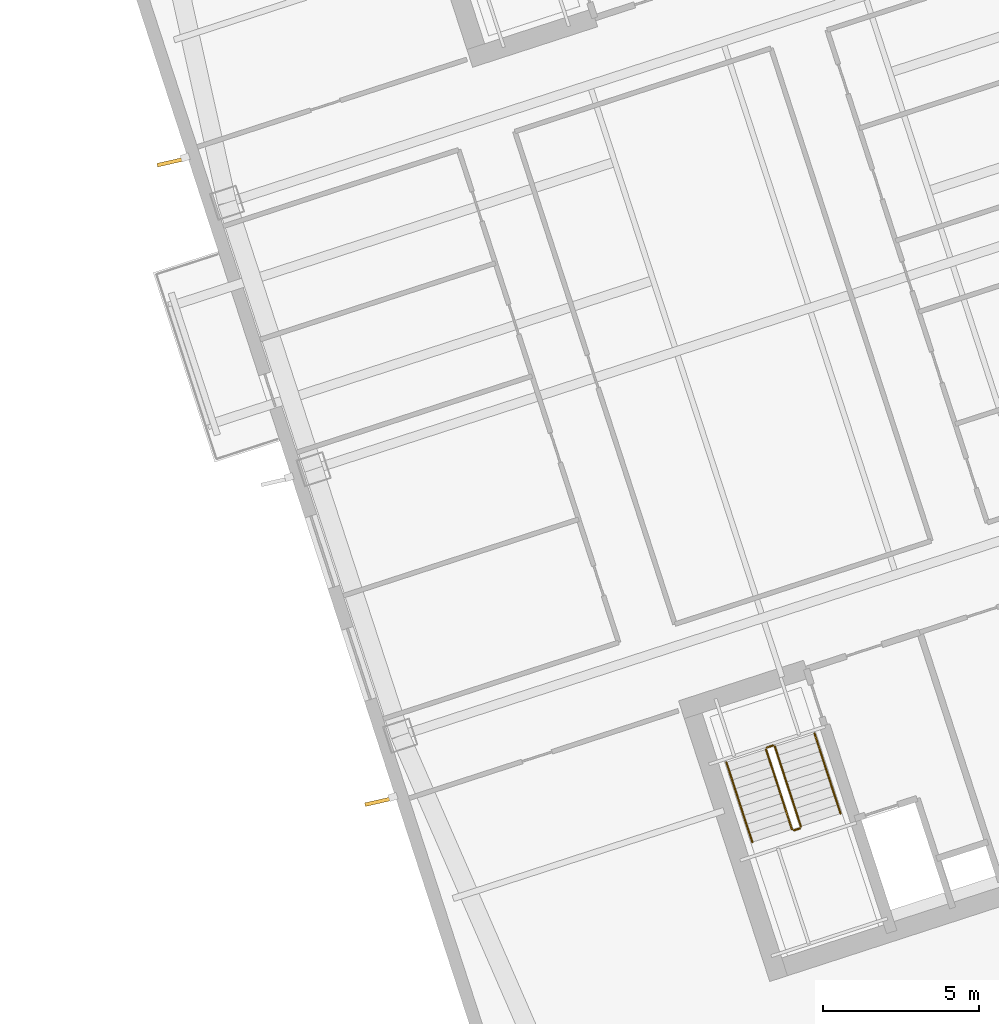
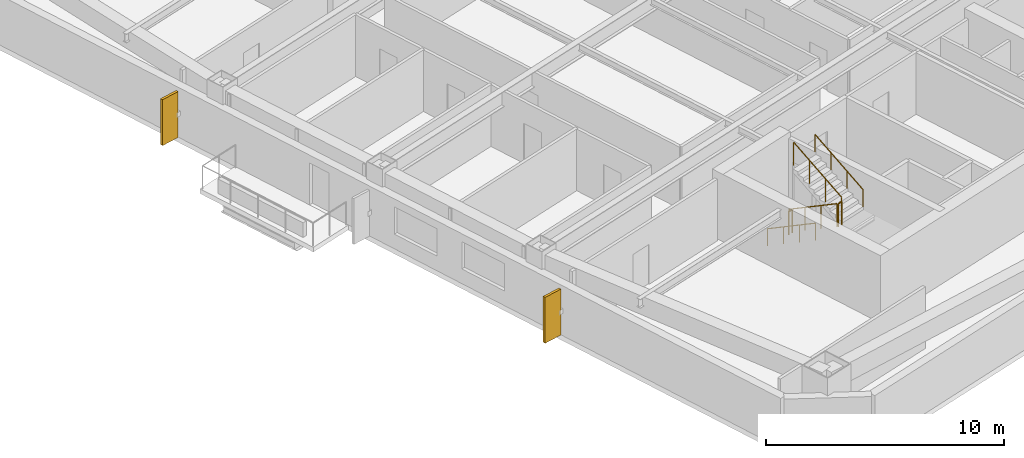
# One storey, part 22 of 23: 6 railings, 2 shading devices.
"""IFC4 building model written with IfcOpenShell, lengths in metres."""

from ifc_helpers import new_model, si_unit, direction, frame, origin, origin_2d, place, context, subcontext, project, spatial, rectangle, circle, extrude, material, layer, layer_set, type_object, element, save


model = new_model("IFC4")

# Units and contexts
model_context = context("Model", 3, precision=1e-05, world=origin(), true_north=direction((0.0, 1.0)))
body_context = subcontext(model_context, "Body", "Model", "MODEL_VIEW")
ifc_project = project(units=[si_unit("LENGTHUNIT", "METRE"), si_unit("AREAUNIT", "SQUARE_METRE"), si_unit("VOLUMEUNIT", "CUBIC_METRE"), si_unit("PLANEANGLEUNIT", "RADIAN"), si_unit("MASSUNIT", "GRAM", prefix="KILO")], contexts=[model_context])

# Site, building, storey
site_placement = place(None, origin())
site = spatial("IfcSite", under=ifc_project, at=site_placement, CompositionType="ELEMENT")
building_placement = place(site_placement, origin())
building = spatial("IfcBuilding", under=site, at=building_placement, Name="Qiaolan Cultural Towers", CompositionType="ELEMENT")
storey_placement = place(building_placement, frame((0.0, 0.0, 100.050048828125)))
storey = spatial("IfcBuildingStorey", under=building, at=storey_placement, Name="L25", CompositionType="ELEMENT", Elevation=100.050048828125)

# Railings
ifc_material_1 = material(Name="Galvanized Painted Steel Stair Guardrail", Category="steel")
railing_type_1 = type_object("IfcRailingType", Name="RL-STAIR-GRD", PredefinedType="GUARDRAIL", material=ifc_material_1)
railing_1_placement = place(storey_placement, frame((88.60205078125, 19.82421875, 0.17236328125)))
element("IfcRailing", 1, at=railing_1_placement, inside=storey, type_object=railing_type_1, Name="L25 ST-E1 stair guard 1", PredefinedType="GUARDRAIL", context=body_context, shape_type="SweptSolid", body=[
    extrude(circle(Radius=0.02392578125, at=origin_2d()), frame((0.0, 0.0, 1.17578125), z_axis=(0.267925668498, -0.824471088726, 0.498460891159), x_axis=(0.951043371037, 0.309057448393, 0.0)), (0.0, 0.0, 1.0), 3.114501953125),
    extrude(circle(Radius=0.02099609375, at=origin_2d()), origin(), (0.0, 0.0, 1.0), 1.15185546875),
    extrude(circle(Radius=0.02099609375, at=origin_2d()), frame((0.278076171875, -0.85595703125, 0.517578125)), (0.0, 0.0, 1.0), 1.15185546875),
    extrude(circle(Radius=0.02099609375, at=origin_2d()), frame((0.556396484375, -1.7119140625, 1.034912109375)), (0.0, 0.0, 1.0), 1.15185546875),
    extrude(circle(Radius=0.02099609375, at=origin_2d()), frame((0.83447265625, -2.56787109375, 1.552490234375)), (0.0, 0.0, 1.0), 1.15185546875),
])
railing_2_placement = place(storey_placement, frame((89.49951171875, 17.224365234375, 1.724853515625)))
element("IfcRailing", 2, at=railing_2_placement, inside=storey, type_object=railing_type_1, Name="L25 ST-E1 stair guard 2", PredefinedType="GUARDRAIL", context=body_context, shape_type="SweptSolid", body=[
    extrude(circle(Radius=0.02392578125, at=origin_2d()), frame((0.0, 0.0, 1.17578125), z_axis=(0.951096855055, 0.308892816854, 0.0), x_axis=(-0.308892816854, 0.951096855055, 0.0)), (0.0, 0.0, 1.0), 0.199951171875),
    extrude(circle(Radius=0.02099609375, at=origin_2d()), origin(), (0.0, 0.0, 1.0), 1.15185546875),
    extrude(circle(Radius=0.02099609375, at=origin_2d()), frame((0.190185546875, 0.061767578125, 0.0)), (0.0, 0.0, 1.0), 1.15185546875),
])
railing_3_placement = place(storey_placement, frame((89.721923828125, 17.34912109375, 1.8974609375)))
element("IfcRailing", 3, at=railing_3_placement, inside=storey, type_object=railing_type_1, Name="L25 ST-E1 stair guard 3", PredefinedType="GUARDRAIL", context=body_context, shape_type="SweptSolid", body=[
    extrude(circle(Radius=0.02392578125, at=origin_2d()), frame((0.0, 0.0, 1.17578125), z_axis=(-0.267925668498, 0.824471088726, 0.498460891159), x_axis=(-0.951043371037, -0.309057448393, 0.0)), (0.0, 0.0, 1.0), 3.114501953125),
    extrude(circle(Radius=0.02099609375, at=origin_2d()), origin(), (0.0, 0.0, 1.0), 1.15185546875),
    extrude(circle(Radius=0.02099609375, at=origin_2d()), frame((-0.278076171875, 0.85595703125, 0.517578125)), (0.0, 0.0, 1.0), 1.15185546875),
    extrude(circle(Radius=0.02099609375, at=origin_2d()), frame((-0.556396484375, 1.7119140625, 1.034912109375)), (0.0, 0.0, 1.0), 1.15185546875),
    extrude(circle(Radius=0.02099609375, at=origin_2d()), frame((-0.83447265625, 2.56787109375, 1.552490234375)), (0.0, 0.0, 1.0), 1.15185546875),
])
railing_4_placement = place(storey_placement, frame((88.63427734375, 19.88720703125, 0.0)))
element("IfcRailing", 4, at=railing_4_placement, inside=storey, type_object=railing_type_1, Name="L25 ST-E1 stair guard 4", PredefinedType="GUARDRAIL", context=body_context, shape_type="SweptSolid", body=[
    extrude(circle(Radius=0.02392578125, at=origin_2d()), frame((0.0, 0.0, 1.17578125), z_axis=(0.951096855055, 0.308892816854, 0.0), x_axis=(-0.308892816854, 0.951096855055, 0.0)), (0.0, 0.0, 1.0), 0.199951171875),
    extrude(circle(Radius=0.02099609375, at=origin_2d()), origin(), (0.0, 0.0, 1.0), 1.15185546875),
    extrude(circle(Radius=0.02099609375, at=origin_2d()), frame((0.190185546875, 0.061767578125, 0.0)), (0.0, 0.0, 1.0), 1.15185546875),
])
ifc_material_2 = material(Name="Stainless Steel S30408 Tubular Handrail", Category="steel")
railing_type_2 = type_object("IfcRailingType", Name="RL-STAIR-HR", PredefinedType="HANDRAIL", material=ifc_material_2)
railing_5_placement = place(storey_placement, frame((87.32763671875, 19.41015625, 0.17236328125)))
element("IfcRailing", 5, at=railing_5_placement, inside=storey, type_object=railing_type_2, Name="L25 ST-E1 stair handrail 1", PredefinedType="HANDRAIL", context=body_context, shape_type="SweptSolid", body=[
    extrude(circle(Radius=0.02392578125, at=origin_2d()), frame((0.0, 0.0, 0.8759765625), z_axis=(0.267925668498, -0.824471088726, 0.498460891159), x_axis=(0.951043371037, 0.309057448393, 0.0)), (0.0, 0.0, 1.0), 3.114501953125),
    extrude(circle(Radius=0.02099609375, at=origin_2d()), origin(), (0.0, 0.0, 1.0), 0.851806640625),
    extrude(circle(Radius=0.02099609375, at=origin_2d()), frame((0.278076171875, -0.85595703125, 0.517578125)), (0.0, 0.0, 1.0), 0.851806640625),
    extrude(circle(Radius=0.02099609375, at=origin_2d()), frame((0.556396484375, -1.7119140625, 1.034912109375)), (0.0, 0.0, 1.0), 0.851806640625),
    extrude(circle(Radius=0.02099609375, at=origin_2d()), frame((0.83447265625, -2.56787109375, 1.552490234375)), (0.0, 0.0, 1.0), 0.851806640625),
])
railing_6_placement = place(storey_placement, frame((90.996337890625, 17.76318359375, 1.8974609375)))
element("IfcRailing", 6, at=railing_6_placement, inside=storey, type_object=railing_type_2, Name="L25 ST-E1 stair handrail 2", PredefinedType="HANDRAIL", context=body_context, shape_type="SweptSolid", body=[
    extrude(circle(Radius=0.02392578125, at=origin_2d()), frame((0.0, 0.0, 0.8759765625), z_axis=(-0.267925668498, 0.824471088726, 0.498460891159), x_axis=(-0.951043371037, -0.309057448393, 0.0)), (0.0, 0.0, 1.0), 3.114501953125),
    extrude(circle(Radius=0.02099609375, at=origin_2d()), origin(), (0.0, 0.0, 1.0), 0.851806640625),
    extrude(circle(Radius=0.02099609375, at=origin_2d()), frame((-0.278076171875, 0.85595703125, 0.517578125)), (0.0, 0.0, 1.0), 0.851806640625),
    extrude(circle(Radius=0.02099609375, at=origin_2d()), frame((-0.556396484375, 1.7119140625, 1.034912109375)), (0.0, 0.0, 1.0), 0.851806640625),
    extrude(circle(Radius=0.02099609375, at=origin_2d()), frame((-0.83447265625, 2.56787109375, 1.552490234375)), (0.0, 0.0, 1.0), 0.851806640625),
])

# Shading devices
ifc_material_3 = material(Name="Dark Basalt Honed Precast Terracotta Fin", Category="masonry")
ifc_layer = layer(ifc_material_3, 0.1201171875)
ifc_layer_set = layer_set([ifc_layer], Name="Dark Basalt Honed Precast Terracotta Fin")
shading_device_type = type_object("IfcShadingDeviceType", Name="SHD-FIN-DARK", PredefinedType="USERDEFINED", material=ifc_layer_set)
for number, where, z_axis, x_axis, name in (
    (7, (76.161376953125, 18.147705078125, 0.099853515625), (0.0, 0.0, 1.0), (0.974879128079, 0.222734563182, 0.0), "L25 T2 Expressive Precast Vertical Fin W1"),
    (8, (69.486572265625, 38.690673828125, 0.099853515625), (0.0, 0.0, 1.0), (0.974879128079, 0.222734563182, 0.0), "L25 T2 Expressive Precast Vertical Fin W3"),
):
    element("IfcShadingDevice", number, at=place(storey_placement, frame(where, z_axis=z_axis, x_axis=x_axis)), inside=storey, type_object=shading_device_type, Name=name, ObjectType="FIN", PredefinedType="USERDEFINED", context=body_context, shape_type="SweptSolid", body=[
        extrude(rectangle(XDim=0.89990234375, YDim=0.1201171875, at=origin_2d()), origin(), (0.0, 0.0, 1.0), 2.35009765625),
    ])

save(model, "model.ifc")
